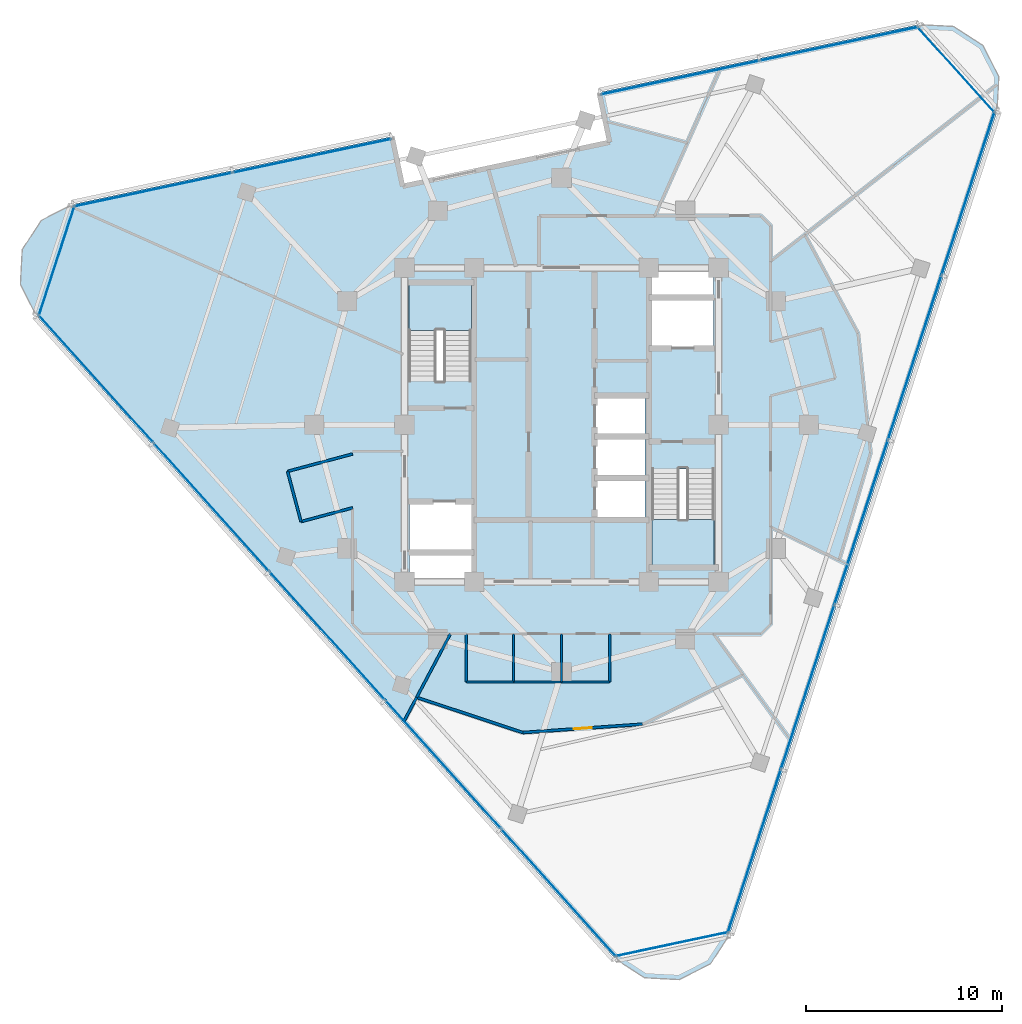
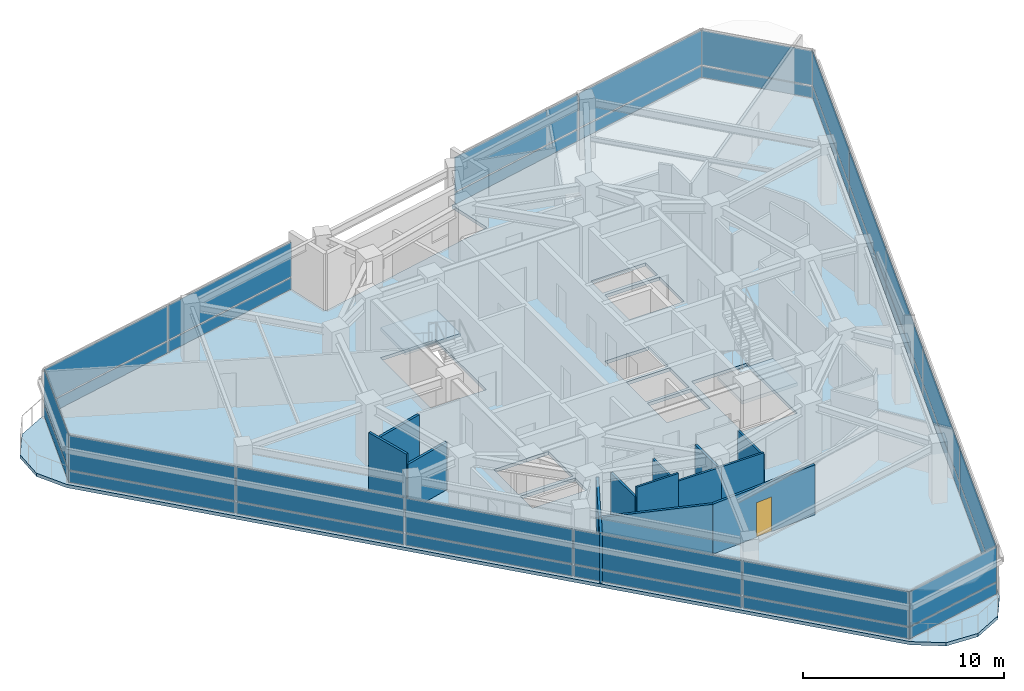
# One storey, part 7 of 15: 34 plates, 14 walls, 3 slabs, 1 door, 1 opening, 9 elements without a shape of their own.
"""IFC4 building model written with IfcOpenShell, lengths in metres."""

from ifc_helpers import new_model, si_unit, direction, frame, frame_2d, origin, origin_2d, place, context, subcontext, project, spatial, polyline, rectangle, outline, extrude, material, layer, layer_set, type_object, element, fill, aggregate, save


model = new_model("IFC4")

# Units and contexts
model_context = context("Model", 3, precision=1e-05, world=origin(), true_north=direction((0.0, 1.0)))
body_context = subcontext(model_context, "Body", "Model", "MODEL_VIEW")
ifc_project = project(units=[si_unit("LENGTHUNIT", "METRE"), si_unit("AREAUNIT", "SQUARE_METRE"), si_unit("VOLUMEUNIT", "CUBIC_METRE"), si_unit("PLANEANGLEUNIT", "RADIAN"), si_unit("MASSUNIT", "GRAM", prefix="KILO")], contexts=[model_context])

# Site, building, storey
site_placement = place(None, origin())
site = spatial("IfcSite", under=ifc_project, at=site_placement, CompositionType="ELEMENT")
building_placement = place(site_placement, origin())
building = spatial("IfcBuilding", under=site, at=building_placement, Name="Terralouvre Media Tower", CompositionType="ELEMENT")
storey_placement = place(building_placement, frame((0.0, 0.0, 301.699951171875)))
storey = spatial("IfcBuildingStorey", under=building, at=storey_placement, Name="L78", CompositionType="ELEMENT", Elevation=301.699951171875)

# Slab
ifc_material_1 = material(Name="Concrete C40/50", Category="concrete")
ifc_layer_1 = layer(ifc_material_1, 0.199951171875, Name="Composite Tower Floor Slab S-TYP200")
ifc_layer_set_1 = layer_set([ifc_layer_1], Name="Concrete C40/50")
slab_type_1 = type_object("IfcSlabType", Name="Composite Tower Floor Slab S-TYP200", PredefinedType="FLOOR", material=ifc_layer_set_1)
slab_1_placement = place(storey_placement, frame((0.0, 0.0, -0.199951171875), z_axis=(0.0, 0.0, 1.0), x_axis=(0.309016994375, 0.951056516295, 0.0)))
element("IfcSlab", 1, at=slab_1_placement, inside=storey, type_object=slab_type_1, Name="L78 Structural Floor Slab", PredefinedType="FLOOR", context=body_context, shape_type="SweptSolid", body=[
    extrude(outline(polyline([(25.0390625, -11.016357421875), (16.709228515625, 3.41162109375), (14.45751953125, 2.111572265625), (9.057373046875, 11.464599609375), (11.30908203125, 12.7646484375), (2.97900390625, 27.192626953125), (1.719970703125, 28.451904296875), (0.0, 28.91259765625), (-1.719970703125, 28.451904296875), (-2.97900390625, 27.192626953125), (-25.0390625, -11.016357421875), (-25.5, -12.736328125), (-25.0390625, -14.456298828125), (-23.780029296875, -15.715576171875), (-22.06005859375, -16.17626953125), (22.06005859375, -16.17626953125), (23.780029296875, -15.715576171875), (25.0390625, -14.456298828125), (25.5, -12.736328125), (25.0390625, -11.016357421875)]), holes=[polyline([(-7.698486328125, 2.33544921875), (-8.839599609375, 1.964599609375), (-9.813232421875, 4.96044921875), (-8.671875, 5.3310546875), (-7.698486328125, 2.33544921875)]), polyline([(-5.17822265625, 3.154296875), (-7.50830078125, 2.397216796875), (-8.481689453125, 5.39306640625), (-6.151611328125, 6.150146484375), (-5.17822265625, 3.154296875)]), polyline([(-5.483154296875, -6.618408203125), (-0.713623046875, -5.068603515625), (0.26904296875, -8.093017578125), (-4.50048828125, -9.642578125), (-5.483154296875, -6.618408203125)]), polyline([(-1.33056640625, -4.901123046875), (-3.17578125, -5.50048828125), (-3.9482421875, -3.122802734375), (-2.103271484375, -2.5234375), (-1.33056640625, -4.901123046875)]), polyline([(0.66650390625, -4.252197265625), (-1.178466796875, -4.8515625), (-1.950927734375, -2.473876953125), (-0.10595703125, -1.87451171875), (0.66650390625, -4.252197265625)]), polyline([(2.663818359375, -3.603271484375), (0.81884765625, -4.20263671875), (0.046142578125, -1.824951171875), (1.891357421875, -1.2255859375), (2.663818359375, -3.603271484375)]), polyline([(5.483154296875, 6.618408203125), (0.713623046875, 5.068603515625), (-0.26904296875, 8.093017578125), (4.50048828125, 9.642578125), (5.483154296875, 6.618408203125)]), polyline([(6.151611328125, -6.150146484375), (5.17822265625, -3.154296875), (7.50830078125, -2.397216796875), (8.481689453125, -5.39306640625), (6.151611328125, -6.150146484375)]), polyline([(8.671875, -5.3310546875), (7.698486328125, -2.33544921875), (8.839599609375, -1.964599609375), (9.813232421875, -4.96044921875), (8.671875, -5.3310546875)])]), origin(), (0.0, 0.0, 1.0), 0.199951171875),
])

# Stair, slab
ifc_material_2 = material(Name="Concrete C45/55", Category="concrete")
stair_type_1 = type_object("IfcStairType", Name="Dogleg Stair Assembly ST-01", PredefinedType="HALF_TURN_STAIR", material=ifc_material_2)
stair_1_placement = place(storey_placement, origin())
stair_1 = element("IfcStair", 2, at=stair_1_placement, inside=storey, type_object=stair_type_1, Name="L78 Core Pressurised Exit Stair ST-01", PredefinedType="HALF_TURN_STAIR")
ifc_material_3 = material(Name="Concrete C45/55", Category="concrete")
ifc_layer_2 = layer(ifc_material_3, 0.199951171875, Name="Reinforced Concrete Stair Half-Landing SL-LD1")
ifc_layer_set_2 = layer_set([ifc_layer_2], Name="Concrete C45/55")
slab_type_2 = type_object("IfcSlabType", Name="Reinforced Concrete Stair Half-Landing SL-LD1", PredefinedType="LANDING", material=ifc_layer_set_2)
slab_2_placement = place(storey_placement, frame((0.0, 0.0, 1.650146484375)))
slab_2 = element("IfcSlab", 3, at=slab_2_placement, type_object=slab_type_2, Name="ST-01 landing 1", PredefinedType="LANDING", context=body_context, shape_type="SweptSolid", body=[
    extrude(outline(polyline([(-4.60009765625, 4.820068359375), (-4.60009765625, 7.260009765625), (-7.780029296875, 7.260009765625), (-7.780029296875, 4.820068359375), (-4.60009765625, 4.820068359375)])), origin(), (0.0, 0.0, 1.0), 0.199951171875),
])
aggregate(stair_1, [slab_2])

ifc_material_4 = material(Name="Concrete C45/55", Category="concrete")
stair_type_2 = type_object("IfcStairType", Name="Dogleg Stair Assembly ST-02", PredefinedType="HALF_TURN_STAIR", material=ifc_material_4)
stair_2_placement = place(storey_placement, origin())
stair_2 = element("IfcStair", 4, at=stair_2_placement, inside=storey, type_object=stair_type_2, Name="L78 Core Pressurised Exit Stair ST-02", PredefinedType="HALF_TURN_STAIR")
slab_3_placement = place(storey_placement, frame((0.0, 0.0, 1.650146484375)))
slab_3 = element("IfcSlab", 5, at=slab_3_placement, type_object=slab_type_2, Name="ST-02 landing 1", PredefinedType="LANDING", context=body_context, shape_type="SweptSolid", body=[
    extrude(outline(polyline([(4.60009765625, -4.820068359375), (4.60009765625, -7.260009765625), (7.780029296875, -7.260009765625), (7.780029296875, -4.820068359375), (4.60009765625, -4.820068359375)])), origin(), (0.0, 0.0, 1.0), 0.199951171875),
])
aggregate(stair_2, [slab_3])

# Curtain wall, plates
ifc_material_5 = material(Name="Low-iron laminated double glazing with solar-control coating", Category="glass")
ifc_layer_3 = layer(ifc_material_5, 0.1650390625, Name="Rounded Wind-Corner Curved Glazing CW-04")
ifc_layer_set_3 = layer_set([ifc_layer_3], Name="Low-iron laminated double glazing with solar-control coating")
curtain_wall_type_1 = type_object("IfcCurtainWallType", Name="Rounded Wind-Corner Curved Glazing CW-04", PredefinedType="NOTDEFINED", material=ifc_layer_set_3)
curtain_wall_1_placement = place(storey_placement, origin())
curtain_wall_1 = element("IfcCurtainWall", 6, at=curtain_wall_1_placement, inside=storey, type_object=curtain_wall_type_1, Name="L78 Rounded Wind-Corner Curtain Wall C0", PredefinedType="NOTDEFINED")
ifc_material_6 = material(Name="Low-iron laminated double glazing with solar-control coating", Category="glass")
ifc_layer_4 = layer(ifc_material_6, 0.0400390625, Name="Rounded Corner Laminated Vision Panel CWP-03")
ifc_layer_set_4 = layer_set([ifc_layer_4], Name="Low-iron laminated double glazing with solar-control coating")
plate_type_1 = type_object("IfcPlateType", Name="Rounded Corner Laminated Vision Panel CWP-03", PredefinedType="CURTAIN_PANEL", material=ifc_layer_set_4)
plate_1_placement = place(storey_placement, frame((5.62451171875, -26.46142578125, 0.074951171875), z_axis=(0.0, 0.0, 1.0), x_axis=(0.978147609922, 0.207911647592, 0.0)))
plate_1 = element("IfcPlate", 7, at=plate_1_placement, type_object=plate_type_1, Name="CW-04 panel 1.1", PredefinedType="CURTAIN_PANEL", context=body_context, shape_type="SweptSolid", body=[
    extrude(rectangle(XDim=5.808349609375, YDim=0.035888671875, at=origin_2d()), origin(), (0.0, 0.0, 1.0), 0.6875),
])
plate_2_placement = place(storey_placement, frame((5.62451171875, -26.46142578125, 0.837646484375), z_axis=(0.0, 0.0, 1.0), x_axis=(0.978147609922, 0.207911647592, 0.0)))
plate_2 = element("IfcPlate", 8, at=plate_2_placement, type_object=plate_type_1, Name="CW-04 panel 1.2", PredefinedType="CURTAIN_PANEL", context=body_context, shape_type="SweptSolid", body=[
    extrude(rectangle(XDim=5.808349609375, YDim=0.035888671875, at=origin_2d()), origin(), (0.0, 0.0, 1.0), 2.08740234375),
])
aggregate(curtain_wall_1, [plate_1, plate_2])

curtain_wall_2_placement = place(storey_placement, origin())
curtain_wall_2 = element("IfcCurtainWall", 9, at=curtain_wall_2_placement, inside=storey, type_object=curtain_wall_type_1, Name="L78 Rounded Wind-Corner Curtain Wall C1", PredefinedType="NOTDEFINED")
plate_3_placement = place(storey_placement, frame((20.10400390625, 18.101806640625, 0.074951171875), z_axis=(0.0, 0.0, 1.0), x_axis=(-0.669130231192, 0.743145163279, 0.0)))
plate_3 = element("IfcPlate", 10, at=plate_3_placement, type_object=plate_type_1, Name="CW-04 panel 1.1", PredefinedType="CURTAIN_PANEL", context=body_context, shape_type="SweptSolid", body=[
    extrude(rectangle(XDim=5.808349609375, YDim=0.035888671875, at=origin_2d()), origin(), (0.0, 0.0, 1.0), 0.6875),
])
plate_4_placement = place(storey_placement, frame((20.10400390625, 18.101806640625, 0.837646484375), z_axis=(0.0, 0.0, 1.0), x_axis=(-0.669130231192, 0.743145163279, 0.0)))
plate_4 = element("IfcPlate", 11, at=plate_4_placement, type_object=plate_type_1, Name="CW-04 panel 1.2", PredefinedType="CURTAIN_PANEL", context=body_context, shape_type="SweptSolid", body=[
    extrude(rectangle(XDim=5.808349609375, YDim=0.035888671875, at=origin_2d()), origin(), (0.0, 0.0, 1.0), 2.08740234375),
])
aggregate(curtain_wall_2, [plate_3, plate_4])

curtain_wall_3_placement = place(storey_placement, origin())
curtain_wall_3 = element("IfcCurtainWall", 12, at=curtain_wall_3_placement, inside=storey, type_object=curtain_wall_type_1, Name="L78 Rounded Wind-Corner Curtain Wall C2", PredefinedType="NOTDEFINED")
plate_5_placement = place(storey_placement, frame((-25.728759765625, 8.359619140625, 0.074951171875), z_axis=(0.0, 0.0, 1.0), x_axis=(-0.30901654693, -0.951056661679, 0.0)))
plate_5 = element("IfcPlate", 13, at=plate_5_placement, type_object=plate_type_1, Name="CW-04 panel 1.1", PredefinedType="CURTAIN_PANEL", context=body_context, shape_type="SweptSolid", body=[
    extrude(rectangle(XDim=5.808349609375, YDim=0.035888671875, at=origin_2d()), origin(), (0.0, 0.0, 1.0), 0.6875),
])
plate_6_placement = place(storey_placement, frame((-25.728759765625, 8.359619140625, 0.837646484375), z_axis=(0.0, 0.0, 1.0), x_axis=(-0.30901654693, -0.951056661679, 0.0)))
plate_6 = element("IfcPlate", 14, at=plate_6_placement, type_object=plate_type_1, Name="CW-04 panel 1.2", PredefinedType="CURTAIN_PANEL", context=body_context, shape_type="SweptSolid", body=[
    extrude(rectangle(XDim=5.808349609375, YDim=0.035888671875, at=origin_2d()), origin(), (0.0, 0.0, 1.0), 2.08740234375),
])
aggregate(curtain_wall_3, [plate_5, plate_6])

ifc_material_7 = material(Name="Low-iron laminated double glazing with solar-control coating", Category="glass")
ifc_layer_5 = layer(ifc_material_7, 0.1650390625, Name="Faceted Glass-Point Crown Curtain Wall CW-06")
ifc_layer_set_5 = layer_set([ifc_layer_5], Name="Low-iron laminated double glazing with solar-control coating")
curtain_wall_type_2 = type_object("IfcCurtainWallType", Name="Faceted Glass-Point Crown Curtain Wall CW-06", PredefinedType="NOTDEFINED", material=ifc_layer_set_5)
curtain_wall_4_placement = place(storey_placement, origin())
curtain_wall_4 = element("IfcCurtainWall", 15, at=curtain_wall_4_placement, inside=storey, type_object=curtain_wall_type_2, Name="L78 Facade Curtain Wall F0", PredefinedType="NOTDEFINED")
ifc_material_8 = material(Name="Low-iron laminated double glazing with solar-control coating", Category="glass")
ifc_layer_6 = layer(ifc_material_8, 0.035888671875, Name="Vision Double-Glazed Unit CWP-01")
ifc_layer_set_6 = layer_set([ifc_layer_6], Name="Low-iron laminated double glazing with solar-control coating")
plate_type_2 = type_object("IfcPlateType", Name="Vision Double-Glazed Unit CWP-01", PredefinedType="CURTAIN_PANEL", material=ifc_layer_set_6)
plate_7_placement = place(storey_placement, frame((9.82275390625, -21.72802734375, 0.074951171875), z_axis=(0.0, 0.0, 1.0), x_axis=(0.309017021946, 0.951056507337, 0.0)))
plate_7 = element("IfcPlate", 16, at=plate_7_placement, type_object=plate_type_2, Name="CW-06 panel 1.1", PredefinedType="CURTAIN_PANEL", context=body_context, shape_type="SweptSolid", body=[
    extrude(rectangle(XDim=8.71142578125, YDim=0.035888671875, at=origin_2d()), origin(), (0.0, 0.0, 1.0), 0.6875),
])
plate_8_placement = place(storey_placement, frame((9.82275390625, -21.72802734375, 0.837646484375), z_axis=(0.0, 0.0, 1.0), x_axis=(0.309017021946, 0.951056507337, 0.0)))
plate_8 = element("IfcPlate", 17, at=plate_8_placement, type_object=plate_type_2, Name="CW-06 panel 1.2", PredefinedType="CURTAIN_PANEL", context=body_context, shape_type="SweptSolid", body=[
    extrude(rectangle(XDim=8.71142578125, YDim=0.035888671875, at=origin_2d()), origin(), (0.0, 0.0, 1.0), 2.08740234375),
])
plate_9_placement = place(storey_placement, frame((12.543701171875, -13.353759765625, 0.074951171875), z_axis=(0.0, 0.0, 1.0), x_axis=(0.309017021946, 0.951056507337, 0.0)))
plate_9 = element("IfcPlate", 18, at=plate_9_placement, type_object=plate_type_2, Name="CW-06 panel 2.1", PredefinedType="CURTAIN_PANEL", context=body_context, shape_type="SweptSolid", body=[
    extrude(rectangle(XDim=8.7490234375, YDim=0.035888671875, at=origin_2d()), origin(), (0.0, 0.0, 1.0), 0.6875),
])
plate_10_placement = place(storey_placement, frame((12.543701171875, -13.353759765625, 0.837646484375), z_axis=(0.0, 0.0, 1.0), x_axis=(0.309017021946, 0.951056507337, 0.0)))
plate_10 = element("IfcPlate", 19, at=plate_10_placement, type_object=plate_type_2, Name="CW-06 panel 2.2", PredefinedType="CURTAIN_PANEL", context=body_context, shape_type="SweptSolid", body=[
    extrude(rectangle(XDim=8.7490234375, YDim=0.035888671875, at=origin_2d()), origin(), (0.0, 0.0, 1.0), 2.08740234375),
])
plate_11_placement = place(storey_placement, frame((15.2705078125, -4.961669921875, 0.074951171875), z_axis=(0.0, 0.0, 1.0), x_axis=(0.309017021946, 0.951056507337, 0.0)))
plate_11 = element("IfcPlate", 20, at=plate_11_placement, type_object=plate_type_2, Name="CW-06 panel 3.1", PredefinedType="CURTAIN_PANEL", context=body_context, shape_type="SweptSolid", body=[
    extrude(rectangle(XDim=8.7490234375, YDim=0.035888671875, at=origin_2d()), origin(), (0.0, 0.0, 1.0), 0.6875),
])
plate_12_placement = place(storey_placement, frame((15.2705078125, -4.961669921875, 0.837646484375), z_axis=(0.0, 0.0, 1.0), x_axis=(0.309017021946, 0.951056507337, 0.0)))
plate_12 = element("IfcPlate", 21, at=plate_12_placement, type_object=plate_type_2, Name="CW-06 panel 3.2", PredefinedType="CURTAIN_PANEL", context=body_context, shape_type="SweptSolid", body=[
    extrude(rectangle(XDim=8.7490234375, YDim=0.035888671875, at=origin_2d()), origin(), (0.0, 0.0, 1.0), 2.08740234375),
])
plate_13_placement = place(storey_placement, frame((17.997314453125, 3.430419921875, 0.074951171875), z_axis=(0.0, 0.0, 1.0), x_axis=(0.309017021946, 0.951056507337, 0.0)))
plate_13 = element("IfcPlate", 22, at=plate_13_placement, type_object=plate_type_2, Name="CW-06 panel 4.1", PredefinedType="CURTAIN_PANEL", context=body_context, shape_type="SweptSolid", body=[
    extrude(rectangle(XDim=8.7490234375, YDim=0.035888671875, at=origin_2d()), origin(), (0.0, 0.0, 1.0), 0.6875),
])
plate_14_placement = place(storey_placement, frame((17.997314453125, 3.430419921875, 0.837646484375), z_axis=(0.0, 0.0, 1.0), x_axis=(0.309017021946, 0.951056507337, 0.0)))
plate_14 = element("IfcPlate", 23, at=plate_14_placement, type_object=plate_type_2, Name="CW-06 panel 4.2", PredefinedType="CURTAIN_PANEL", context=body_context, shape_type="SweptSolid", body=[
    extrude(rectangle(XDim=8.7490234375, YDim=0.035888671875, at=origin_2d()), origin(), (0.0, 0.0, 1.0), 2.08740234375),
])
plate_15_placement = place(storey_placement, frame((20.71826171875, 11.8046875, 0.074951171875), z_axis=(0.0, 0.0, 1.0), x_axis=(0.309017021946, 0.951056507337, 0.0)))
plate_15 = element("IfcPlate", 24, at=plate_15_placement, type_object=plate_type_2, Name="CW-06 panel 5.1", PredefinedType="CURTAIN_PANEL", context=body_context, shape_type="SweptSolid", body=[
    extrude(rectangle(XDim=8.71142578125, YDim=0.035888671875, at=origin_2d()), origin(), (0.0, 0.0, 1.0), 0.6875),
])
plate_16_placement = place(storey_placement, frame((20.71826171875, 11.8046875, 0.837646484375), z_axis=(0.0, 0.0, 1.0), x_axis=(0.309017021946, 0.951056507337, 0.0)))
plate_16 = element("IfcPlate", 25, at=plate_16_placement, type_object=plate_type_2, Name="CW-06 panel 5.2", PredefinedType="CURTAIN_PANEL", context=body_context, shape_type="SweptSolid", body=[
    extrude(rectangle(XDim=8.71142578125, YDim=0.035888671875, at=origin_2d()), origin(), (0.0, 0.0, 1.0), 2.08740234375),
])
aggregate(curtain_wall_4, [plate_7, plate_8, plate_9, plate_10, plate_11, plate_12, plate_13, plate_14, plate_15, plate_16])

curtain_wall_5_placement = place(storey_placement, origin())
curtain_wall_5 = element("IfcCurtainWall", 26, at=curtain_wall_5_placement, inside=storey, type_object=curtain_wall_type_2, Name="L78 Left Flank Curtain Wall F1", PredefinedType="NOTDEFINED")
plate_17_placement = place(storey_placement, frame((14.147216796875, 19.422119140625, 0.074951171875), z_axis=(0.0, 0.0, 1.0), x_axis=(-0.978147588229, -0.207911749648, 0.0)))
plate_17 = element("IfcPlate", 27, at=plate_17_placement, type_object=plate_type_2, Name="CW-06 panel 1.1", PredefinedType="CURTAIN_PANEL", context=body_context, shape_type="SweptSolid", body=[
    extrude(rectangle(XDim=8.217529296875, YDim=0.035888671875, at=origin_2d()), origin(), (0.0, 0.0, 1.0), 0.6875),
])
plate_18_placement = place(storey_placement, frame((14.147216796875, 19.422119140625, 0.837646484375), z_axis=(0.0, 0.0, 1.0), x_axis=(-0.978147588229, -0.207911749648, 0.0)))
plate_18 = element("IfcPlate", 28, at=plate_18_placement, type_object=plate_type_2, Name="CW-06 panel 1.2", PredefinedType="CURTAIN_PANEL", context=body_context, shape_type="SweptSolid", body=[
    extrude(rectangle(XDim=8.217529296875, YDim=0.035888671875, at=origin_2d()), origin(), (0.0, 0.0, 1.0), 2.08740234375),
])
plate_19_placement = place(storey_placement, frame((6.0361328125, 17.697998046875, 0.074951171875), z_axis=(0.0, 0.0, 1.0), x_axis=(-0.978147588229, -0.207911749648, 0.0)))
plate_19 = element("IfcPlate", 29, at=plate_19_placement, type_object=plate_type_2, Name="CW-06 panel 2.1", PredefinedType="CURTAIN_PANEL", context=body_context, shape_type="SweptSolid", body=[
    extrude(rectangle(XDim=8.217529296875, YDim=0.035888671875, at=origin_2d()), origin(), (0.0, 0.0, 1.0), 0.6875),
])
plate_20_placement = place(storey_placement, frame((6.0361328125, 17.697998046875, 0.837646484375), z_axis=(0.0, 0.0, 1.0), x_axis=(-0.978147588229, -0.207911749648, 0.0)))
plate_20 = element("IfcPlate", 30, at=plate_20_placement, type_object=plate_type_2, Name="CW-06 panel 2.2", PredefinedType="CURTAIN_PANEL", context=body_context, shape_type="SweptSolid", body=[
    extrude(rectangle(XDim=8.217529296875, YDim=0.035888671875, at=origin_2d()), origin(), (0.0, 0.0, 1.0), 2.08740234375),
])
aggregate(curtain_wall_5, [plate_17, plate_18, plate_19, plate_20])

curtain_wall_6_placement = place(storey_placement, origin())
curtain_wall_6 = element("IfcCurtainWall", 31, at=curtain_wall_6_placement, inside=storey, type_object=curtain_wall_type_2, Name="L78 Right Flank Curtain Wall F1", PredefinedType="NOTDEFINED")
plate_21_placement = place(storey_placement, frame((-12.712646484375, 13.712890625, 0.074951171875), z_axis=(0.0, 0.0, 1.0), x_axis=(-0.978147684351, -0.20791129743, 0.0)))
plate_21 = element("IfcPlate", 32, at=plate_21_placement, type_object=plate_type_2, Name="CW-06 panel 1.1", PredefinedType="CURTAIN_PANEL", context=body_context, shape_type="SweptSolid", body=[
    extrude(rectangle(XDim=8.217529296875, YDim=0.035888671875, at=origin_2d()), origin(), (0.0, 0.0, 1.0), 0.6875),
])
plate_22_placement = place(storey_placement, frame((-12.712646484375, 13.712890625, 0.837646484375), z_axis=(0.0, 0.0, 1.0), x_axis=(-0.978147684351, -0.20791129743, 0.0)))
plate_22 = element("IfcPlate", 33, at=plate_22_placement, type_object=plate_type_2, Name="CW-06 panel 1.2", PredefinedType="CURTAIN_PANEL", context=body_context, shape_type="SweptSolid", body=[
    extrude(rectangle(XDim=8.217529296875, YDim=0.035888671875, at=origin_2d()), origin(), (0.0, 0.0, 1.0), 2.08740234375),
])
plate_23_placement = place(storey_placement, frame((-20.823974609375, 11.98876953125, 0.074951171875), z_axis=(0.0, 0.0, 1.0), x_axis=(-0.978147684351, -0.20791129743, 0.0)))
plate_23 = element("IfcPlate", 34, at=plate_23_placement, type_object=plate_type_2, Name="CW-06 panel 2.1", PredefinedType="CURTAIN_PANEL", context=body_context, shape_type="SweptSolid", body=[
    extrude(rectangle(XDim=8.217529296875, YDim=0.035888671875, at=origin_2d()), origin(), (0.0, 0.0, 1.0), 0.6875),
])
plate_24_placement = place(storey_placement, frame((-20.823974609375, 11.98876953125, 0.837646484375), z_axis=(0.0, 0.0, 1.0), x_axis=(-0.978147684351, -0.20791129743, 0.0)))
plate_24 = element("IfcPlate", 35, at=plate_24_placement, type_object=plate_type_2, Name="CW-06 panel 2.2", PredefinedType="CURTAIN_PANEL", context=body_context, shape_type="SweptSolid", body=[
    extrude(rectangle(XDim=8.217529296875, YDim=0.035888671875, at=origin_2d()), origin(), (0.0, 0.0, 1.0), 2.08740234375),
])
aggregate(curtain_wall_6, [plate_21, plate_22, plate_23, plate_24])

curtain_wall_7_placement = place(storey_placement, origin())
curtain_wall_7 = element("IfcCurtainWall", 36, at=curtain_wall_7_placement, inside=storey, type_object=curtain_wall_type_2, Name="L78 Facade Curtain Wall F2", PredefinedType="NOTDEFINED")
plate_25_placement = place(storey_placement, frame((-23.728515625, 2.357177734375, 0.074951171875), z_axis=(0.0, 0.0, 1.0), x_axis=(0.669130573531, -0.743144855036, 0.0)))
plate_25 = element("IfcPlate", 37, at=plate_25_placement, type_object=plate_type_2, Name="CW-06 panel 1.1", PredefinedType="CURTAIN_PANEL", context=body_context, shape_type="SweptSolid", body=[
    extrude(rectangle(XDim=8.71142578125, YDim=0.035888671875, at=origin_2d()), origin(), (0.0, 0.0, 1.0), 0.6875),
])
plate_26_placement = place(storey_placement, frame((-23.728515625, 2.357177734375, 0.837646484375), z_axis=(0.0, 0.0, 1.0), x_axis=(0.669130573531, -0.743144855036, 0.0)))
plate_26 = element("IfcPlate", 38, at=plate_26_placement, type_object=plate_type_2, Name="CW-06 panel 1.2", PredefinedType="CURTAIN_PANEL", context=body_context, shape_type="SweptSolid", body=[
    extrude(rectangle(XDim=8.71142578125, YDim=0.035888671875, at=origin_2d()), origin(), (0.0, 0.0, 1.0), 2.08740234375),
])
plate_27_placement = place(storey_placement, frame((-17.836669921875, -4.186279296875, 0.074951171875), z_axis=(0.0, 0.0, 1.0), x_axis=(0.669130573531, -0.743144855036, 0.0)))
plate_27 = element("IfcPlate", 39, at=plate_27_placement, type_object=plate_type_2, Name="CW-06 panel 2.1", PredefinedType="CURTAIN_PANEL", context=body_context, shape_type="SweptSolid", body=[
    extrude(rectangle(XDim=8.7490234375, YDim=0.035888671875, at=origin_2d()), origin(), (0.0, 0.0, 1.0), 0.6875),
])
plate_28_placement = place(storey_placement, frame((-17.836669921875, -4.186279296875, 0.837646484375), z_axis=(0.0, 0.0, 1.0), x_axis=(0.669130573531, -0.743144855036, 0.0)))
plate_28 = element("IfcPlate", 40, at=plate_28_placement, type_object=plate_type_2, Name="CW-06 panel 2.2", PredefinedType="CURTAIN_PANEL", context=body_context, shape_type="SweptSolid", body=[
    extrude(rectangle(XDim=8.7490234375, YDim=0.035888671875, at=origin_2d()), origin(), (0.0, 0.0, 1.0), 2.08740234375),
])
plate_29_placement = place(storey_placement, frame((-11.93212890625, -10.743896484375, 0.074951171875), z_axis=(0.0, 0.0, 1.0), x_axis=(0.669130573531, -0.743144855036, 0.0)))
plate_29 = element("IfcPlate", 41, at=plate_29_placement, type_object=plate_type_2, Name="CW-06 panel 3.1", PredefinedType="CURTAIN_PANEL", context=body_context, shape_type="SweptSolid", body=[
    extrude(rectangle(XDim=8.7490234375, YDim=0.035888671875, at=origin_2d()), origin(), (0.0, 0.0, 1.0), 0.6875),
])
plate_30_placement = place(storey_placement, frame((-11.93212890625, -10.743896484375, 0.837646484375), z_axis=(0.0, 0.0, 1.0), x_axis=(0.669130573531, -0.743144855036, 0.0)))
plate_30 = element("IfcPlate", 42, at=plate_30_placement, type_object=plate_type_2, Name="CW-06 panel 3.2", PredefinedType="CURTAIN_PANEL", context=body_context, shape_type="SweptSolid", body=[
    extrude(rectangle(XDim=8.7490234375, YDim=0.035888671875, at=origin_2d()), origin(), (0.0, 0.0, 1.0), 2.08740234375),
])
plate_31_placement = place(storey_placement, frame((-6.02783203125, -17.30126953125, 0.074951171875), z_axis=(0.0, 0.0, 1.0), x_axis=(0.669130573531, -0.743144855036, 0.0)))
plate_31 = element("IfcPlate", 43, at=plate_31_placement, type_object=plate_type_2, Name="CW-06 panel 4.1", PredefinedType="CURTAIN_PANEL", context=body_context, shape_type="SweptSolid", body=[
    extrude(rectangle(XDim=8.7490234375, YDim=0.035888671875, at=origin_2d()), origin(), (0.0, 0.0, 1.0), 0.6875),
])
plate_32_placement = place(storey_placement, frame((-6.02783203125, -17.30126953125, 0.837646484375), z_axis=(0.0, 0.0, 1.0), x_axis=(0.669130573531, -0.743144855036, 0.0)))
plate_32 = element("IfcPlate", 44, at=plate_32_placement, type_object=plate_type_2, Name="CW-06 panel 4.2", PredefinedType="CURTAIN_PANEL", context=body_context, shape_type="SweptSolid", body=[
    extrude(rectangle(XDim=8.7490234375, YDim=0.035888671875, at=origin_2d()), origin(), (0.0, 0.0, 1.0), 2.08740234375),
])
plate_33_placement = place(storey_placement, frame((-0.135986328125, -23.844970703125, 0.074951171875), z_axis=(0.0, 0.0, 1.0), x_axis=(0.669130573531, -0.743144855036, 0.0)))
plate_33 = element("IfcPlate", 45, at=plate_33_placement, type_object=plate_type_2, Name="CW-06 panel 5.1", PredefinedType="CURTAIN_PANEL", context=body_context, shape_type="SweptSolid", body=[
    extrude(rectangle(XDim=8.71142578125, YDim=0.035888671875, at=origin_2d()), origin(), (0.0, 0.0, 1.0), 0.6875),
])
plate_34_placement = place(storey_placement, frame((-0.135986328125, -23.844970703125, 0.837646484375), z_axis=(0.0, 0.0, 1.0), x_axis=(0.669130573531, -0.743144855036, 0.0)))
plate_34 = element("IfcPlate", 46, at=plate_34_placement, type_object=plate_type_2, Name="CW-06 panel 5.2", PredefinedType="CURTAIN_PANEL", context=body_context, shape_type="SweptSolid", body=[
    extrude(rectangle(XDim=8.71142578125, YDim=0.035888671875, at=origin_2d()), origin(), (0.0, 0.0, 1.0), 2.08740234375),
])
aggregate(curtain_wall_7, [plate_25, plate_26, plate_27, plate_28, plate_29, plate_30, plate_31, plate_32, plate_33, plate_34])

# Walls
ifc_material_9 = material(Name="Fire-rated gypsum board drywall partition")
ifc_layer_7 = layer(ifc_material_9, 0.135009765625, Name="Newsroom Acoustic Partition PT-135")
ifc_layer_set_7 = layer_set([ifc_layer_7], Name="Fire-rated gypsum board drywall partition")
wall_type_1 = type_object("IfcWallType", Name="Newsroom Acoustic Partition PT-135", PredefinedType="PARTITIONING", material=ifc_layer_set_7)
wall_1_placement = place(storey_placement, frame((-10.64990234375, -1.48193359375, 0.0), z_axis=(0.0, 0.0, 1.0), x_axis=(-0.965961397105, -0.2586862565, 0.0)))
element("IfcWall", 47, at=wall_1_placement, inside=storey, type_object=wall_type_1, Name="L78 Interior Partition 002", PredefinedType="PARTITIONING", context=body_context, shape_type="SweptSolid", body=[
    extrude(rectangle(XDim=3.4287109375, YDim=0.135009765625, at=frame_2d((1.71435546875, 0.0))), origin(), (0.0, 0.0, 1.0), 2.885009765625),
])
wall_2_placement = place(storey_placement, frame((-13.9619140625, -2.368896484375, 0.0), z_axis=(0.0, 0.0, 1.0), x_axis=(0.258413725385, -0.966034340245, 0.0)))
element("IfcWall", 48, at=wall_2_placement, inside=storey, type_object=wall_type_1, Name="L78 Interior Partition 003", PredefinedType="PARTITIONING", context=body_context, shape_type="SweptSolid", body=[
    extrude(rectangle(XDim=2.650146484375, YDim=0.135009765625, at=frame_2d((1.3251953125, 0.0))), origin(), (0.0, 0.0, 1.0), 3.5),
])
wall_3_placement = place(storey_placement, frame((-13.277099609375, -4.928955078125, 0.0), z_axis=(0.0, 0.0, 1.0), x_axis=(0.965934830229, 0.258785439601, 0.0)))
element("IfcWall", 49, at=wall_3_placement, inside=storey, type_object=wall_type_1, Name="L78 Interior Partition 004", PredefinedType="PARTITIONING", context=body_context, shape_type="SweptSolid", body=[
    extrude(rectangle(XDim=2.719970703125, YDim=0.135009765625, at=frame_2d((1.35986328125, 0.0))), origin(), (0.0, 0.0, 1.0), 2.885009765625),
])
wall_4_placement = place(storey_placement, frame((-7.382080078125, -13.884033203125, 0.0), z_axis=(0.0, 0.0, 1.0), x_axis=(0.469338791783, 0.88301817565, 0.0)))
element("IfcWall", 50, at=wall_4_placement, inside=storey, type_object=wall_type_1, Name="L78 Interior Partition 026", PredefinedType="PARTITIONING", context=body_context, shape_type="SweptSolid", body=[
    extrude(rectangle(XDim=3.66259765625, YDim=0.135009765625, at=frame_2d((1.831298828125, 0.0))), origin(), (0.0, 0.0, 1.0), 2.885009765625),
])
wall_5_placement = place(storey_placement, frame((-8.041748046875, -15.124267578125, 0.0), z_axis=(0.0, 0.0, 1.0), x_axis=(0.469595679185, 0.882881587808, 0.0)))
element("IfcWall", 51, at=wall_5_placement, inside=storey, type_object=wall_type_1, Name="L78 Interior Partition 027", PredefinedType="PARTITIONING", context=body_context, shape_type="SweptSolid", body=[
    extrude(rectangle(XDim=1.40478515625, YDim=0.135009765625, at=frame_2d((0.702392578125, 0.0))), origin(), (0.0, 0.0, 1.0), 3.03515625),
])
wall_6_placement = place(storey_placement, frame((-7.382080078125, -13.884033203125, 0.0), z_axis=(0.0, 0.0, 1.0), x_axis=(0.949247116003, -0.314531258795, 0.0)))
element("IfcWall", 52, at=wall_6_placement, inside=storey, type_object=wall_type_1, Name="L78 Interior Partition 041", PredefinedType="PARTITIONING", context=body_context, shape_type="SweptSolid", body=[
    extrude(rectangle(XDim=5.700439453125, YDim=0.135009765625, at=frame_2d((2.85009765625, 0.0))), origin(), (0.0, 0.0, 1.0), 3.03515625),
])

# Wall, opening, door
wall_7_placement = place(storey_placement, frame((-1.970947265625, -15.677001953125, 0.0), z_axis=(0.0, 0.0, 1.0), x_axis=(0.997562911572, 0.069772755832, 0.0)))
wall_7 = element("IfcWall", 53, at=wall_7_placement, inside=storey, type_object=wall_type_1, Name="L78 Interior Partition 042", PredefinedType="PARTITIONING", context=body_context, shape_type="SweptSolid", body=[
    extrude(rectangle(XDim=6.119873046875, YDim=0.135009765625, at=frame_2d((3.06005859375, 0.0))), origin(), (0.0, 0.0, 1.0), 3.03515625),
])
opening_placement = place(wall_7_placement, frame((2.60009765625, 0.0, 0.0)))
opening = element("IfcOpeningElement", 54, at=opening_placement, cuts=wall_7, Name="Opening ID-03-92X210", PredefinedType="OPENING", context=body_context, shape_type="SweptSolid", body=[
    extrude(rectangle(XDim=0.919921875, YDim=2.10009765625, at=frame_2d((0.4599609375, 1.050048828125))), frame((0.0, 0.077392578125, 0.0), z_axis=(0.0, -1.0, 0.0), x_axis=(1.0, 0.0, 0.0)), (0.0, 0.0, 1.0), 0.155029296875),
])
ifc_material_10 = material(Name="Engineered hardwood acoustic timber leaf", Category="wood")
door_type = type_object("IfcDoorType", Name="Accessible Restroom and Suite Door ID-03 (920x2100)", OperationType="NOTDEFINED", PredefinedType="DOOR", material=ifc_material_10)
door_placement = place(opening_placement, origin())
door = element("IfcDoor", 55, at=door_placement, inside=storey, type_object=door_type, Name="L78 UX Sprint Project Conference Room 4 Door", OperationType="SINGLE_SWING_LEFT", OverallHeight=2.10009765625, OverallWidth=0.919921875, PredefinedType="DOOR", context=body_context, shape_type="SweptSolid", body=[
    extrude(rectangle(XDim=0.919921875, YDim=2.10009765625, at=frame_2d((0.4599609375, 1.050048828125))), frame((0.0, 0.02490234375, 0.0), z_axis=(0.0, -1.0, 0.0), x_axis=(1.0, 0.0, 0.0)), (0.0, 0.0, 1.0), 0.050048828125),
])
fill(opening, door)

# Walls
ifc_material_11 = material(Name="Fire-rated gypsum board drywall partition")
ifc_layer_8 = layer(ifc_material_11, 0.114990234375, Name="Restroom and Pantry Partition PT-115")
ifc_layer_set_8 = layer_set([ifc_layer_8], Name="Fire-rated gypsum board drywall partition")
wall_type_2 = type_object("IfcWallType", Name="Restroom and Pantry Partition PT-115", PredefinedType="PARTITIONING", material=ifc_layer_set_8)
for number, where, z_axis, x_axis, name in (
    (56, (-2.449951171875, -13.10009765625, 0.0), (0.0, 0.0, 1.0), (0.0, 1.0, 0.0), "L78 Interior Partition 034"),
    (57, (-4.85009765625, -10.64990234375, 0.0), (0.0, 0.0, 1.0), (0.0, -1.0, 0.0), "L78 Interior Partition 035"),
):
    element("IfcWall", number, at=place(storey_placement, frame(where, z_axis=z_axis, x_axis=x_axis)), inside=storey, type_object=wall_type_2, Name=name, PredefinedType="PARTITIONING", context=body_context, shape_type="SweptSolid", body=[
        extrude(rectangle(XDim=2.4501953125, YDim=0.114990234375, at=frame_2d((1.22509765625, 0.0))), origin(), (0.0, 0.0, 1.0), 2.885009765625),
    ])
wall_8_placement = place(storey_placement, frame((-4.85009765625, -13.10009765625, 0.0), z_axis=(0.0, 0.0, 1.0), x_axis=(1.0, 0.0, 0.0)))
element("IfcWall", 58, at=wall_8_placement, inside=storey, type_object=wall_type_2, Name="L78 Interior Partition 036", PredefinedType="PARTITIONING", context=body_context, shape_type="SweptSolid", body=[
    extrude(rectangle(XDim=2.400146484375, YDim=0.114990234375, at=frame_2d((1.2001953125, 0.0))), origin(), (0.0, 0.0, 1.0), 3.5),
])
wall_9_placement = place(storey_placement, frame((0.0, -13.10009765625, 0.0), z_axis=(0.0, 0.0, 1.0), x_axis=(0.0, 1.0, 0.0)))
element("IfcWall", 59, at=wall_9_placement, inside=storey, type_object=wall_type_2, Name="L78 Interior Partition 037", PredefinedType="PARTITIONING", context=body_context, shape_type="SweptSolid", body=[
    extrude(rectangle(XDim=2.4501953125, YDim=0.114990234375, at=frame_2d((1.22509765625, 0.0))), origin(), (0.0, 0.0, 1.0), 2.885009765625),
])
for number, where, z_axis, x_axis, name in (
    (60, (-2.449951171875, -13.10009765625, 0.0), (0.0, 0.0, 1.0), (1.0, 0.0, 0.0), "L78 Interior Partition 038"),
    (61, (0.0, -13.10009765625, 0.0), (0.0, 0.0, 1.0), (1.0, 0.0, 0.0), "L78 Interior Partition 039"),
):
    element("IfcWall", number, at=place(storey_placement, frame(where, z_axis=z_axis, x_axis=x_axis)), inside=storey, type_object=wall_type_2, Name=name, PredefinedType="PARTITIONING", context=body_context, shape_type="SweptSolid", body=[
        extrude(rectangle(XDim=2.449951171875, YDim=0.114990234375, at=frame_2d((1.22509765625, 0.0))), origin(), (0.0, 0.0, 1.0), 3.03515625),
    ])
wall_10_placement = place(storey_placement, frame((2.449951171875, -13.10009765625, 0.0), z_axis=(0.0, 0.0, 1.0), x_axis=(0.0, 1.0, 0.0)))
element("IfcWall", 62, at=wall_10_placement, inside=storey, type_object=wall_type_2, Name="L78 Interior Partition 040", PredefinedType="PARTITIONING", context=body_context, shape_type="SweptSolid", body=[
    extrude(rectangle(XDim=2.4501953125, YDim=0.114990234375, at=frame_2d((1.22509765625, 0.0))), origin(), (0.0, 0.0, 1.0), 2.885009765625),
])

save(model, "model.ifc")
